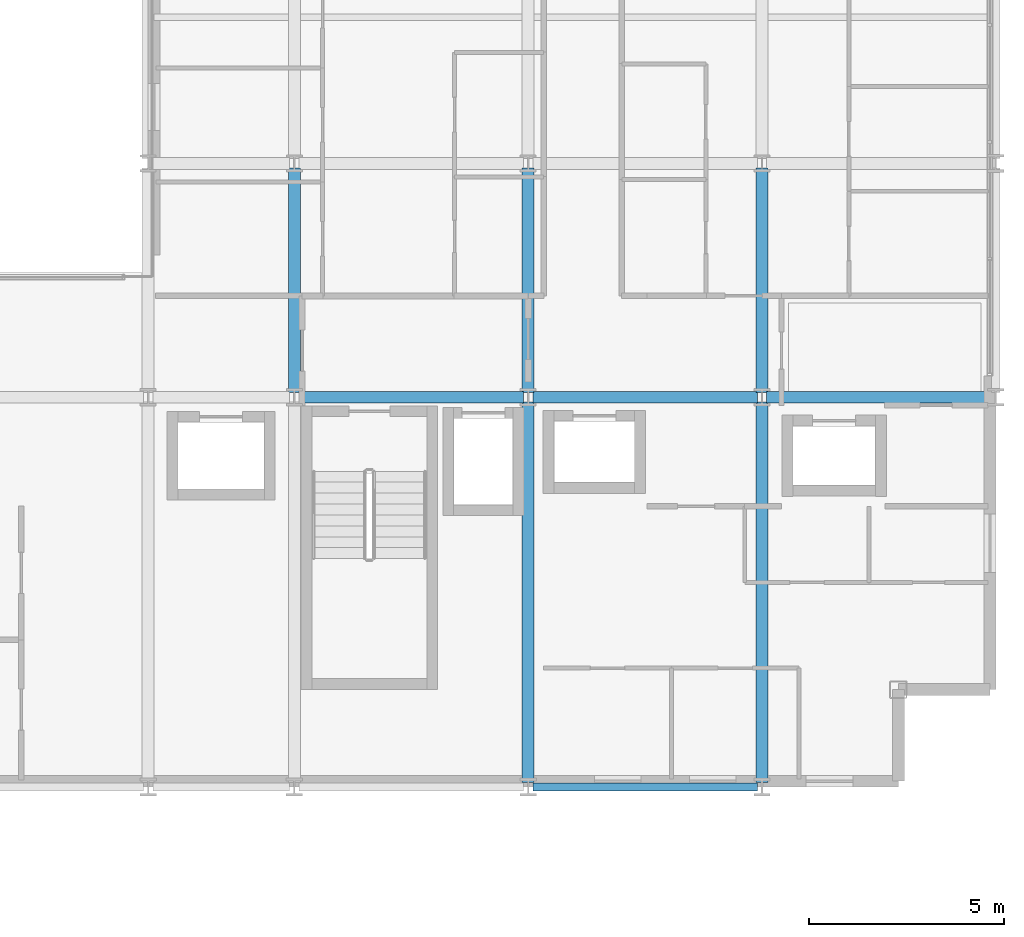
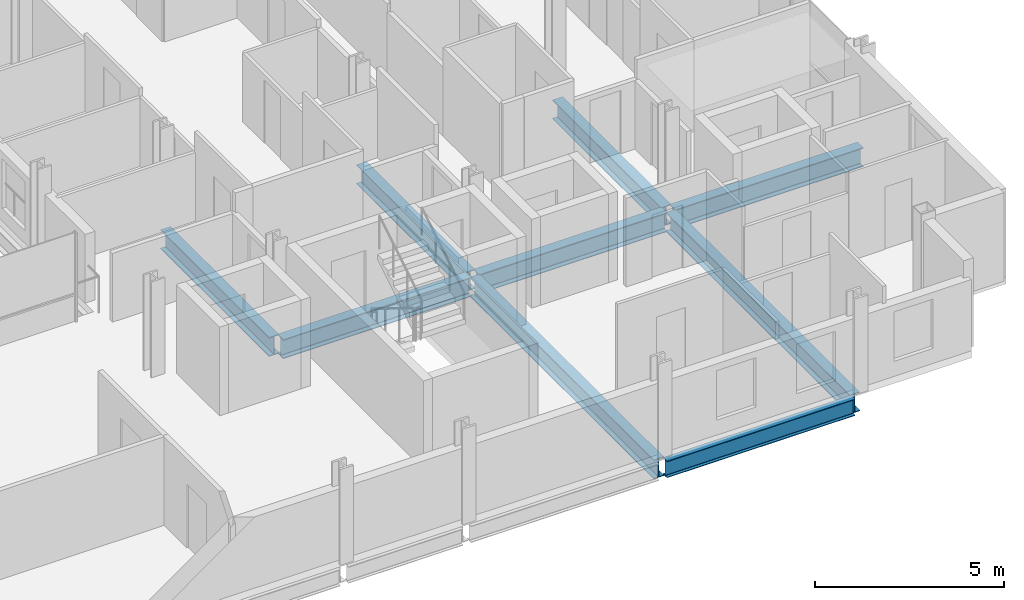
# One storey, part 14 of 41: 9 beams.
"""IFC4 building model written with IfcOpenShell, lengths in metres."""

from ifc_helpers import new_model, si_unit, direction, frame, origin, origin_2d, place, context, subcontext, project, spatial, i_section, extrude, material, material_profile, profile_set, type_object, element, save


model = new_model("IFC4")

# Units and contexts
model_context = context("Model", 3, precision=1e-05, world=origin(), true_north=direction((0.0, 1.0)))
body_context = subcontext(model_context, "Body", "Model", "MODEL_VIEW")
ifc_project = project(units=[si_unit("LENGTHUNIT", "METRE"), si_unit("AREAUNIT", "SQUARE_METRE"), si_unit("VOLUMEUNIT", "CUBIC_METRE"), si_unit("PLANEANGLEUNIT", "RADIAN"), si_unit("MASSUNIT", "GRAM", prefix="KILO")], contexts=[model_context])

# Site, building, storey
site_placement = place(None, origin())
site = spatial("IfcSite", under=ifc_project, at=site_placement, CompositionType="ELEMENT")
building_placement = place(site_placement, origin())
building = spatial("IfcBuilding", under=site, at=building_placement, Name="Brevholm Reach", CompositionType="ELEMENT")
storey_placement = place(building_placement, frame((0.0, 0.0, 74.5)))
storey = spatial("IfcBuildingStorey", under=building, at=storey_placement, Name="L21", CompositionType="ELEMENT", Elevation=74.5)

# Beams
ifc_material_1 = material(Name="Structural Steel S355J2", Category="steel")
ifc_material_profile_1 = material_profile(ifc_material_1, i_section(OverallWidth=0.210693359375, OverallDepth=0.53955078125, WebThickness=0.01171875, FlangeThickness=0.018798828125, FilletRadius=0.0126953125, at=origin_2d()), Name="UKB 533x210x109")
ifc_profile_set_1 = profile_set([ifc_material_profile_1], Name="Structural Steel S355J2")
beam_type_1 = type_object("IfcBeamType", Name="BM-SP539", PredefinedType="SPANDREL", material=ifc_profile_set_1)
beam_1_placement = place(storey_placement, frame((48.1201171875, 0.0, -0.499755859375), z_axis=(1.0, 0.0, 0.0), x_axis=(0.0, 1.0, 0.0)))
element("IfcBeam", 1, at=beam_1_placement, inside=storey, type_object=beam_type_1, Name="L21 SP-01B Framing Beam", PredefinedType="SPANDREL", context=body_context, shape_type="SweptSolid", body=[
    extrude(i_section(OverallWidth=0.210693359375, OverallDepth=0.53955078125, WebThickness=0.01171875, FlangeThickness=0.018798828125, FilletRadius=0.0126953125, at=origin_2d()), origin(), (0.0, 0.0, 1.0), 5.759765625),
])
ifc_material_2 = material(Name="Structural Steel S355J2", Category="steel")
ifc_material_profile_2 = material_profile(ifc_material_2, i_section(OverallWidth=0.30712890625, OverallDepth=0.6201171875, WebThickness=0.01416015625, FlangeThickness=0.023681640625, FilletRadius=0.0166015625, at=origin_2d()), Name="UKB 610x305x179")
ifc_profile_set_2 = profile_set([ifc_material_profile_2], Name="Structural Steel S355J2")
beam_type_2 = type_object("IfcBeamType", Name="BM-UKB610H", PredefinedType="USERDEFINED", material=ifc_profile_set_2)
for number, where, z_axis, x_axis, name in (
    (2, (42.1201171875, 10.0, -0.5400390625), (1.0, 0.0, 0.0), (0.0, 1.0, 0.0), "L21 G-06 Framing Beam"),
    (3, (48.1201171875, 10.0, -0.5400390625), (1.0, 0.0, 0.0), (0.0, 1.0, 0.0), "L21 G-06 Framing Beam"),
    (4, (54.1201171875, 10.0, -0.5400390625), (1.0, 0.0, 0.0), (0.0, 1.0, 0.0), "L21 G-06 Framing Beam"),
    (5, (42.0, 10.1201171875, -0.5400390625), (0.0, 1.0, 0.0), (-1.0, 0.0, 0.0), "L21 G-06 Framing Beam"),
):
    element("IfcBeam", number, at=place(storey_placement, frame(where, z_axis=z_axis, x_axis=x_axis)), inside=storey, type_object=beam_type_2, Name=name, ObjectType="GIRDER", PredefinedType="USERDEFINED", context=body_context, shape_type="SweptSolid", body=[
        extrude(i_section(OverallWidth=0.30712890625, OverallDepth=0.6201171875, WebThickness=0.01416015625, FlangeThickness=0.023681640625, FilletRadius=0.0166015625, at=origin_2d()), origin(), (0.0, 0.0, 1.0), 5.759765625),
    ])
beam_2_placement = place(storey_placement, frame((48.0, 0.1201171875, -0.5400390625), z_axis=(0.0, 1.0, 0.0), x_axis=(-1.0, 0.0, 0.0)))
element("IfcBeam", 6, at=beam_2_placement, inside=storey, type_object=beam_type_2, Name="L21 G-06 Framing Beam", ObjectType="GIRDER", PredefinedType="USERDEFINED", context=body_context, shape_type="SweptSolid", body=[
    extrude(i_section(OverallWidth=0.30712890625, OverallDepth=0.6201171875, WebThickness=0.01416015625, FlangeThickness=0.023681640625, FilletRadius=0.0166015625, at=origin_2d()), origin(), (0.0, 0.0, 1.0), 9.759765625),
])
beam_3_placement = place(storey_placement, frame((48.0, 10.1201171875, -0.5400390625), z_axis=(0.0, 1.0, 0.0), x_axis=(-1.0, 0.0, 0.0)))
element("IfcBeam", 7, at=beam_3_placement, inside=storey, type_object=beam_type_2, Name="L21 G-06 Framing Beam", ObjectType="GIRDER", PredefinedType="USERDEFINED", context=body_context, shape_type="SweptSolid", body=[
    extrude(i_section(OverallWidth=0.30712890625, OverallDepth=0.6201171875, WebThickness=0.01416015625, FlangeThickness=0.023681640625, FilletRadius=0.0166015625, at=origin_2d()), origin(), (0.0, 0.0, 1.0), 5.759765625),
])
beam_4_placement = place(storey_placement, frame((54.0, 0.1201171875, -0.5400390625), z_axis=(0.0, 1.0, 0.0), x_axis=(-1.0, 0.0, 0.0)))
element("IfcBeam", 8, at=beam_4_placement, inside=storey, type_object=beam_type_2, Name="L21 G-06 Framing Beam", ObjectType="GIRDER", PredefinedType="USERDEFINED", context=body_context, shape_type="SweptSolid", body=[
    extrude(i_section(OverallWidth=0.30712890625, OverallDepth=0.6201171875, WebThickness=0.01416015625, FlangeThickness=0.023681640625, FilletRadius=0.0166015625, at=origin_2d()), origin(), (0.0, 0.0, 1.0), 9.759765625),
])
beam_5_placement = place(storey_placement, frame((54.0, 10.1201171875, -0.5400390625), z_axis=(0.0, 1.0, 0.0), x_axis=(-1.0, 0.0, 0.0)))
element("IfcBeam", 9, at=beam_5_placement, inside=storey, type_object=beam_type_2, Name="L21 G-06 Framing Beam", ObjectType="GIRDER", PredefinedType="USERDEFINED", context=body_context, shape_type="SweptSolid", body=[
    extrude(i_section(OverallWidth=0.30712890625, OverallDepth=0.6201171875, WebThickness=0.01416015625, FlangeThickness=0.023681640625, FilletRadius=0.0166015625, at=origin_2d()), origin(), (0.0, 0.0, 1.0), 5.759765625),
])

save(model, "model.ifc")
